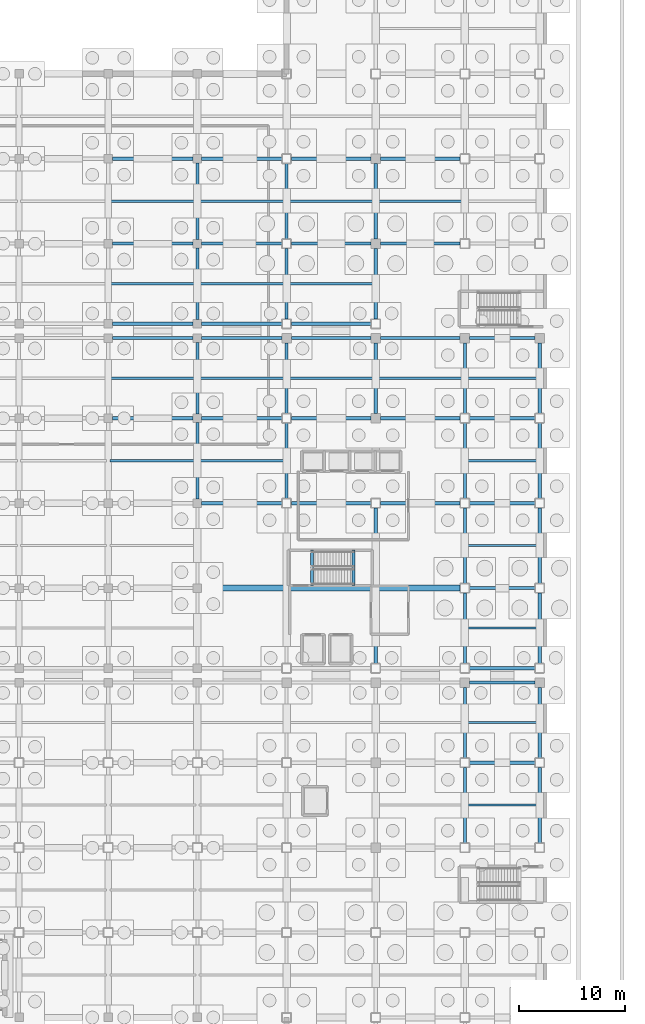
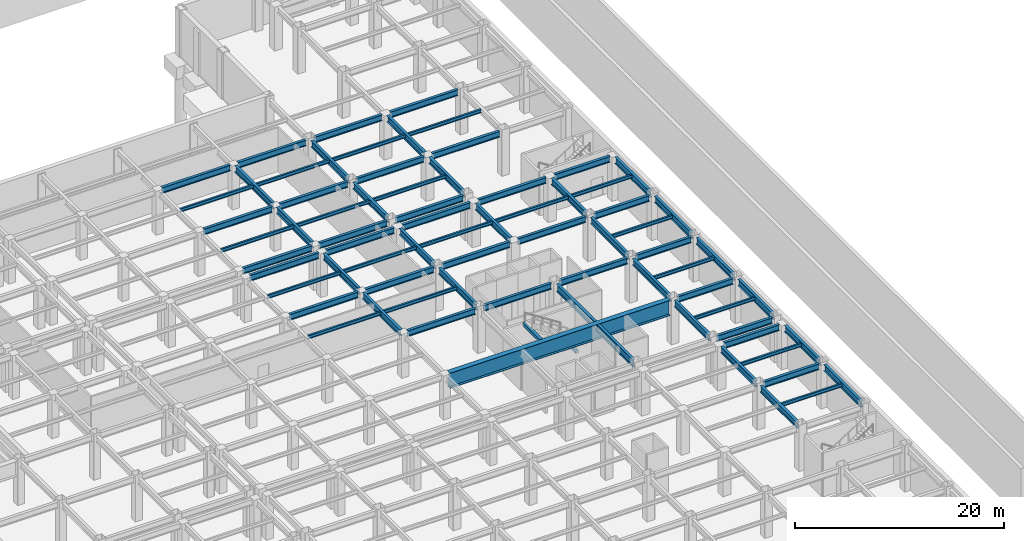
# One storey, part 29 of 55: 75 beams.
"""IFC4 building model written with IfcOpenShell, lengths in metres."""

from ifc_helpers import new_model, si_unit, direction, frame, origin, origin_2d, place, context, subcontext, project, spatial, rectangle, i_section, extrude, material, material_profile, profile_set, type_object, element, save


model = new_model("IFC4")

# Units and contexts
model_context = context("Model", 3, precision=1e-05, world=origin(), true_north=direction((0.0, 1.0)))
body_context = subcontext(model_context, "Body", "Model", "MODEL_VIEW")
ifc_project = project(units=[si_unit("LENGTHUNIT", "METRE"), si_unit("AREAUNIT", "SQUARE_METRE"), si_unit("VOLUMEUNIT", "CUBIC_METRE"), si_unit("PLANEANGLEUNIT", "RADIAN"), si_unit("MASSUNIT", "GRAM", prefix="KILO")], contexts=[model_context])

# Site, building, storey
site_placement = place(None, origin())
site = spatial("IfcSite", under=ifc_project, at=site_placement, CompositionType="ELEMENT")
building_placement = place(site_placement, origin())
building = spatial("IfcBuilding", under=site, at=building_placement, Name="Kazehara Bluff Congress Hotel", CompositionType="ELEMENT")
storey_placement = place(building_placement, frame((0.0, 0.0, -5.39990234375)))
storey = spatial("IfcBuildingStorey", under=building, at=storey_placement, Name="B1", CompositionType="ELEMENT", Elevation=-5.39990234375)

# Beams
ifc_material_1 = material(Name="Steel SN490B", Category="steel")
ifc_material_profile_1 = material_profile(ifc_material_1, i_section(OverallWidth=0.300048828125, OverallDepth=0.699951171875, WebThickness=0.012939453125, FlangeThickness=0.02392578125, FilletRadius=0.01806640625, at=origin_2d()))
ifc_profile_set_1 = profile_set([ifc_material_profile_1], Name="Steel SN490B")
beam_type_1 = type_object("IfcBeamType", Name="TP-G-04", PredefinedType="BEAM", material=ifc_profile_set_1)
for number, where, z_axis, x_axis, name in (
    (1, (160.949951171875, 32.0, 4.77001953125), (1.0, 0.0, 0.0), (0.0, 1.0, 0.0), "B1 girder G-04 345"),
    (2, (160.949951171875, 39.550048828125, 4.77001953125), (1.0, 0.0, 0.0), (0.0, 1.0, 0.0), "B1 girder G-04 362"),
    (3, (160.949951171875, 40.89990234375, 4.77001953125), (1.0, 0.0, 0.0), (0.0, 1.0, 0.0), "B1 girder G-04 379"),
    (4, (160.949951171875, 48.449951171875, 4.77001953125), (1.0, 0.0, 0.0), (0.0, 1.0, 0.0), "B1 girder G-04 394"),
):
    element("IfcBeam", number, at=place(storey_placement, frame(where, z_axis=z_axis, x_axis=x_axis)), inside=storey, type_object=beam_type_1, Name=name, PredefinedType="BEAM", context=body_context, shape_type="SweptSolid", body=[
        extrude(i_section(OverallWidth=0.300048828125, OverallDepth=0.699951171875, WebThickness=0.012939453125, FlangeThickness=0.02392578125, FilletRadius=0.01806640625, at=origin_2d()), origin(), (0.0, 0.0, 1.0), 6.150146484375),
    ])
beam_1_placement = place(storey_placement, frame((135.699951171875, 56.449951171875, 4.77001953125), z_axis=(1.0, 0.0, 0.0), x_axis=(0.0, 1.0, 0.0)))
element("IfcBeam", 5, at=beam_1_placement, inside=storey, type_object=beam_type_1, Name="B1 girder G-04 409", PredefinedType="BEAM", context=body_context, shape_type="SweptSolid", body=[
    extrude(i_section(OverallWidth=0.300048828125, OverallDepth=0.699951171875, WebThickness=0.012939453125, FlangeThickness=0.02392578125, FilletRadius=0.01806640625, at=origin_2d()), origin(), (0.0, 0.0, 1.0), 7.550048828125),
])
for number, where, z_axis, x_axis, name in (
    (6, (144.14990234375, 56.449951171875, 4.77001953125), (1.0, 0.0, 0.0), (0.0, 1.0, 0.0), "B1 girder G-04 410"),
    (7, (152.550048828125, 56.449951171875, 4.77001953125), (1.0, 0.0, 0.0), (0.0, 1.0, 0.0), "B1 girder G-04 411"),
):
    element("IfcBeam", number, at=place(storey_placement, frame(where, z_axis=z_axis, x_axis=x_axis)), inside=storey, type_object=beam_type_1, Name=name, PredefinedType="BEAM", context=body_context, shape_type="SweptSolid", body=[
        extrude(i_section(OverallWidth=0.300048828125, OverallDepth=0.699951171875, WebThickness=0.012939453125, FlangeThickness=0.02392578125, FilletRadius=0.01806640625, at=origin_2d()), origin(), (0.0, 0.0, 1.0), 7.5),
    ])
beam_2_placement = place(storey_placement, frame((160.949951171875, 56.449951171875, 4.77001953125), z_axis=(1.0, 0.0, 0.0), x_axis=(0.0, 1.0, 0.0)))
element("IfcBeam", 8, at=beam_2_placement, inside=storey, type_object=beam_type_1, Name="B1 girder G-04 412", PredefinedType="BEAM", context=body_context, shape_type="SweptSolid", body=[
    extrude(i_section(OverallWidth=0.300048828125, OverallDepth=0.699951171875, WebThickness=0.012939453125, FlangeThickness=0.02392578125, FilletRadius=0.01806640625, at=origin_2d()), origin(), (0.0, 0.0, 1.0), 6.150146484375),
])
beam_3_placement = place(storey_placement, frame((127.300048828125, 64.449951171875, 4.77001953125), z_axis=(1.0, 0.0, 0.0), x_axis=(0.0, 1.0, 0.0)))
element("IfcBeam", 9, at=beam_3_placement, inside=storey, type_object=beam_type_1, Name="B1 girder G-04 428", PredefinedType="BEAM", context=body_context, shape_type="SweptSolid", body=[
    extrude(i_section(OverallWidth=0.300048828125, OverallDepth=0.699951171875, WebThickness=0.012939453125, FlangeThickness=0.02392578125, FilletRadius=0.01806640625, at=origin_2d()), origin(), (0.0, 0.0, 1.0), 7.599853515625),
])
beam_4_placement = place(storey_placement, frame((135.699951171875, 64.449951171875, 4.77001953125), z_axis=(1.0, 0.0, 0.0), x_axis=(0.0, 1.0, 0.0)))
element("IfcBeam", 10, at=beam_4_placement, inside=storey, type_object=beam_type_1, Name="B1 girder G-04 429", PredefinedType="BEAM", context=body_context, shape_type="SweptSolid", body=[
    extrude(i_section(OverallWidth=0.300048828125, OverallDepth=0.699951171875, WebThickness=0.012939453125, FlangeThickness=0.02392578125, FilletRadius=0.01806640625, at=origin_2d()), origin(), (0.0, 0.0, 1.0), 7.550048828125),
])
for number, where, z_axis, x_axis, name in (
    (11, (144.14990234375, 64.449951171875, 4.77001953125), (1.0, 0.0, 0.0), (0.0, 1.0, 0.0), "B1 girder G-04 430"),
    (12, (152.550048828125, 64.449951171875, 4.77001953125), (1.0, 0.0, 0.0), (0.0, 1.0, 0.0), "B1 girder G-04 431"),
):
    element("IfcBeam", number, at=place(storey_placement, frame(where, z_axis=z_axis, x_axis=x_axis)), inside=storey, type_object=beam_type_1, Name=name, PredefinedType="BEAM", context=body_context, shape_type="SweptSolid", body=[
        extrude(i_section(OverallWidth=0.300048828125, OverallDepth=0.699951171875, WebThickness=0.012939453125, FlangeThickness=0.02392578125, FilletRadius=0.01806640625, at=origin_2d()), origin(), (0.0, 0.0, 1.0), 7.5),
    ])
beam_5_placement = place(storey_placement, frame((160.949951171875, 64.449951171875, 4.77001953125), z_axis=(1.0, 0.0, 0.0), x_axis=(0.0, 1.0, 0.0)))
element("IfcBeam", 13, at=beam_5_placement, inside=storey, type_object=beam_type_1, Name="B1 girder G-04 432", PredefinedType="BEAM", context=body_context, shape_type="SweptSolid", body=[
    extrude(i_section(OverallWidth=0.300048828125, OverallDepth=0.699951171875, WebThickness=0.012939453125, FlangeThickness=0.02392578125, FilletRadius=0.01806640625, at=origin_2d()), origin(), (0.0, 0.0, 1.0), 6.150146484375),
])
beam_6_placement = place(storey_placement, frame((127.300048828125, 72.0, 4.77001953125), z_axis=(1.0, 0.0, 0.0), x_axis=(0.0, 1.0, 0.0)))
element("IfcBeam", 14, at=beam_6_placement, inside=storey, type_object=beam_type_1, Name="B1 girder G-04 441", PredefinedType="BEAM", context=body_context, shape_type="SweptSolid", body=[
    extrude(i_section(OverallWidth=0.300048828125, OverallDepth=0.699951171875, WebThickness=0.012939453125, FlangeThickness=0.02392578125, FilletRadius=0.01806640625, at=origin_2d()), origin(), (0.0, 0.0, 1.0), 7.599853515625),
])
beam_7_placement = place(storey_placement, frame((135.699951171875, 72.0, 4.77001953125), z_axis=(1.0, 0.0, 0.0), x_axis=(0.0, 1.0, 0.0)))
element("IfcBeam", 15, at=beam_7_placement, inside=storey, type_object=beam_type_1, Name="B1 girder G-04 442", PredefinedType="BEAM", context=body_context, shape_type="SweptSolid", body=[
    extrude(i_section(OverallWidth=0.300048828125, OverallDepth=0.699951171875, WebThickness=0.012939453125, FlangeThickness=0.02392578125, FilletRadius=0.01806640625, at=origin_2d()), origin(), (0.0, 0.0, 1.0), 7.550048828125),
])
for number, where, z_axis, x_axis, name in (
    (16, (144.14990234375, 72.0, 4.77001953125), (1.0, 0.0, 0.0), (0.0, 1.0, 0.0), "B1 girder G-04 443"),
    (17, (152.550048828125, 72.0, 4.77001953125), (1.0, 0.0, 0.0), (0.0, 1.0, 0.0), "B1 girder G-04 444"),
):
    element("IfcBeam", number, at=place(storey_placement, frame(where, z_axis=z_axis, x_axis=x_axis)), inside=storey, type_object=beam_type_1, Name=name, PredefinedType="BEAM", context=body_context, shape_type="SweptSolid", body=[
        extrude(i_section(OverallWidth=0.300048828125, OverallDepth=0.699951171875, WebThickness=0.012939453125, FlangeThickness=0.02392578125, FilletRadius=0.01806640625, at=origin_2d()), origin(), (0.0, 0.0, 1.0), 7.5),
    ])
beam_8_placement = place(storey_placement, frame((160.949951171875, 72.0, 4.77001953125), z_axis=(1.0, 0.0, 0.0), x_axis=(0.0, 1.0, 0.0)))
element("IfcBeam", 18, at=beam_8_placement, inside=storey, type_object=beam_type_1, Name="B1 girder G-04 445", PredefinedType="BEAM", context=body_context, shape_type="SweptSolid", body=[
    extrude(i_section(OverallWidth=0.300048828125, OverallDepth=0.699951171875, WebThickness=0.012939453125, FlangeThickness=0.02392578125, FilletRadius=0.01806640625, at=origin_2d()), origin(), (0.0, 0.0, 1.0), 6.150146484375),
])
beam_9_placement = place(storey_placement, frame((127.300048828125, 73.35009765625, 4.77001953125), z_axis=(1.0, 0.0, 0.0), x_axis=(0.0, 1.0, 0.0)))
element("IfcBeam", 19, at=beam_9_placement, inside=storey, type_object=beam_type_1, Name="B1 girder G-04 455", PredefinedType="BEAM", context=body_context, shape_type="SweptSolid", body=[
    extrude(i_section(OverallWidth=0.300048828125, OverallDepth=0.699951171875, WebThickness=0.012939453125, FlangeThickness=0.02392578125, FilletRadius=0.01806640625, at=origin_2d()), origin(), (0.0, 0.0, 1.0), 7.599853515625),
])
beam_10_placement = place(storey_placement, frame((135.699951171875, 73.35009765625, 4.77001953125), z_axis=(1.0, 0.0, 0.0), x_axis=(0.0, 1.0, 0.0)))
element("IfcBeam", 20, at=beam_10_placement, inside=storey, type_object=beam_type_1, Name="B1 girder G-04 456", PredefinedType="BEAM", context=body_context, shape_type="SweptSolid", body=[
    extrude(i_section(OverallWidth=0.300048828125, OverallDepth=0.699951171875, WebThickness=0.012939453125, FlangeThickness=0.02392578125, FilletRadius=0.01806640625, at=origin_2d()), origin(), (0.0, 0.0, 1.0), 7.550048828125),
])
beam_11_placement = place(storey_placement, frame((144.14990234375, 73.35009765625, 4.77001953125), z_axis=(1.0, 0.0, 0.0), x_axis=(0.0, 1.0, 0.0)))
element("IfcBeam", 21, at=beam_11_placement, inside=storey, type_object=beam_type_1, Name="B1 girder G-04 457", PredefinedType="BEAM", context=body_context, shape_type="SweptSolid", body=[
    extrude(i_section(OverallWidth=0.300048828125, OverallDepth=0.699951171875, WebThickness=0.012939453125, FlangeThickness=0.02392578125, FilletRadius=0.01806640625, at=origin_2d()), origin(), (0.0, 0.0, 1.0), 7.5),
])
beam_12_placement = place(storey_placement, frame((127.300048828125, 80.89990234375, 4.77001953125), z_axis=(1.0, 0.0, 0.0), x_axis=(0.0, 1.0, 0.0)))
element("IfcBeam", 22, at=beam_12_placement, inside=storey, type_object=beam_type_1, Name="B1 girder G-04 473", PredefinedType="BEAM", context=body_context, shape_type="SweptSolid", body=[
    extrude(i_section(OverallWidth=0.300048828125, OverallDepth=0.699951171875, WebThickness=0.012939453125, FlangeThickness=0.02392578125, FilletRadius=0.01806640625, at=origin_2d()), origin(), (0.0, 0.0, 1.0), 7.599853515625),
])
beam_13_placement = place(storey_placement, frame((135.699951171875, 80.89990234375, 4.77001953125), z_axis=(1.0, 0.0, 0.0), x_axis=(0.0, 1.0, 0.0)))
element("IfcBeam", 23, at=beam_13_placement, inside=storey, type_object=beam_type_1, Name="B1 girder G-04 474", PredefinedType="BEAM", context=body_context, shape_type="SweptSolid", body=[
    extrude(i_section(OverallWidth=0.300048828125, OverallDepth=0.699951171875, WebThickness=0.012939453125, FlangeThickness=0.02392578125, FilletRadius=0.01806640625, at=origin_2d()), origin(), (0.0, 0.0, 1.0), 7.550048828125),
])
for number, where, z_axis, x_axis, name in (
    (24, (144.14990234375, 80.89990234375, 4.77001953125), (1.0, 0.0, 0.0), (0.0, 1.0, 0.0), "B1 girder G-04 475"),
    (25, (152.550048828125, 80.89990234375, 4.77001953125), (1.0, 0.0, 0.0), (0.0, 1.0, 0.0), "B1 girder G-04 476"),
):
    element("IfcBeam", number, at=place(storey_placement, frame(where, z_axis=z_axis, x_axis=x_axis)), inside=storey, type_object=beam_type_1, Name=name, PredefinedType="BEAM", context=body_context, shape_type="SweptSolid", body=[
        extrude(i_section(OverallWidth=0.300048828125, OverallDepth=0.699951171875, WebThickness=0.012939453125, FlangeThickness=0.02392578125, FilletRadius=0.01806640625, at=origin_2d()), origin(), (0.0, 0.0, 1.0), 7.5),
    ])
beam_14_placement = place(storey_placement, frame((127.300048828125, 88.89990234375, 4.77001953125), z_axis=(1.0, 0.0, 0.0), x_axis=(0.0, 1.0, 0.0)))
element("IfcBeam", 26, at=beam_14_placement, inside=storey, type_object=beam_type_1, Name="B1 girder G-04 493", PredefinedType="BEAM", context=body_context, shape_type="SweptSolid", body=[
    extrude(i_section(OverallWidth=0.300048828125, OverallDepth=0.699951171875, WebThickness=0.012939453125, FlangeThickness=0.02392578125, FilletRadius=0.01806640625, at=origin_2d()), origin(), (0.0, 0.0, 1.0), 7.599853515625),
])
beam_15_placement = place(storey_placement, frame((135.699951171875, 88.89990234375, 4.77001953125), z_axis=(1.0, 0.0, 0.0), x_axis=(0.0, 1.0, 0.0)))
element("IfcBeam", 27, at=beam_15_placement, inside=storey, type_object=beam_type_1, Name="B1 girder G-04 494", PredefinedType="BEAM", context=body_context, shape_type="SweptSolid", body=[
    extrude(i_section(OverallWidth=0.300048828125, OverallDepth=0.699951171875, WebThickness=0.012939453125, FlangeThickness=0.02392578125, FilletRadius=0.01806640625, at=origin_2d()), origin(), (0.0, 0.0, 1.0), 7.550048828125),
])
for number, where, z_axis, x_axis, name in (
    (28, (144.14990234375, 88.89990234375, 4.77001953125), (1.0, 0.0, 0.0), (0.0, 1.0, 0.0), "B1 girder G-04 495"),
    (29, (152.550048828125, 88.89990234375, 4.77001953125), (1.0, 0.0, 0.0), (0.0, 1.0, 0.0), "B1 girder G-04 496"),
):
    element("IfcBeam", number, at=place(storey_placement, frame(where, z_axis=z_axis, x_axis=x_axis)), inside=storey, type_object=beam_type_1, Name=name, PredefinedType="BEAM", context=body_context, shape_type="SweptSolid", body=[
        extrude(i_section(OverallWidth=0.300048828125, OverallDepth=0.699951171875, WebThickness=0.012939453125, FlangeThickness=0.02392578125, FilletRadius=0.01806640625, at=origin_2d()), origin(), (0.0, 0.0, 1.0), 7.5),
    ])
ifc_material_2 = material(Name="Steel SN490B", Category="steel")
ifc_material_profile_2 = material_profile(ifc_material_2, i_section(OverallWidth=0.300048828125, OverallDepth=0.75, WebThickness=0.012939453125, FlangeThickness=0.02392578125, FilletRadius=0.01806640625, at=origin_2d()))
ifc_profile_set_2 = profile_set([ifc_material_profile_2], Name="Steel SN490B")
beam_type_2 = type_object("IfcBeamType", Name="TP-G-05", PredefinedType="BEAM", material=ifc_profile_set_2)
beam_16_placement = place(storey_placement, frame((135.300048828125, 56.85009765625, 4.744873046875), z_axis=(0.0, 1.0, 0.0), x_axis=(-1.0, 0.0, 0.0)))
element("IfcBeam", 30, at=beam_16_placement, inside=storey, type_object=beam_type_2, Name="B1 girder G-05 220", PredefinedType="BEAM", context=body_context, shape_type="SweptSolid", body=[
    extrude(i_section(OverallWidth=0.300048828125, OverallDepth=0.75, WebThickness=0.012939453125, FlangeThickness=0.02392578125, FilletRadius=0.01806640625, at=origin_2d()), origin(), (0.0, 0.0, 1.0), 7.199951171875),
])
for number, where, z_axis, x_axis, name in (
    (31, (135.300048828125, 64.85009765625, 4.744873046875), (0.0, 1.0, 0.0), (-1.0, 0.0, 0.0), "B1 girder G-05 221"),
    (32, (135.300048828125, 73.75, 4.744873046875), (0.0, 1.0, 0.0), (-1.0, 0.0, 0.0), "B1 girder G-05 222"),
):
    element("IfcBeam", number, at=place(storey_placement, frame(where, z_axis=z_axis, x_axis=x_axis)), inside=storey, type_object=beam_type_2, Name=name, PredefinedType="BEAM", context=body_context, shape_type="SweptSolid", body=[
        extrude(i_section(OverallWidth=0.300048828125, OverallDepth=0.75, WebThickness=0.012939453125, FlangeThickness=0.02392578125, FilletRadius=0.01806640625, at=origin_2d()), origin(), (0.0, 0.0, 1.0), 6.75),
    ])
beam_17_placement = place(storey_placement, frame((135.300048828125, 81.300048828125, 4.744873046875), z_axis=(0.0, 1.0, 0.0), x_axis=(-1.0, 0.0, 0.0)))
element("IfcBeam", 33, at=beam_17_placement, inside=storey, type_object=beam_type_2, Name="B1 girder G-05 223", PredefinedType="BEAM", context=body_context, shape_type="SweptSolid", body=[
    extrude(i_section(OverallWidth=0.300048828125, OverallDepth=0.75, WebThickness=0.012939453125, FlangeThickness=0.02392578125, FilletRadius=0.01806640625, at=origin_2d()), origin(), (0.0, 0.0, 1.0), 7.199951171875),
])
beam_18_placement = place(storey_placement, frame((143.699951171875, 56.89990234375, 4.744873046875), z_axis=(0.0, 1.0, 0.0), x_axis=(-1.0, 0.0, 0.0)))
element("IfcBeam", 34, at=beam_18_placement, inside=storey, type_object=beam_type_2, Name="B1 girder G-05 230", PredefinedType="BEAM", context=body_context, shape_type="SweptSolid", body=[
    extrude(i_section(OverallWidth=0.300048828125, OverallDepth=0.75, WebThickness=0.012939453125, FlangeThickness=0.02392578125, FilletRadius=0.01806640625, at=origin_2d()), origin(), (0.0, 0.0, 1.0), 7.10009765625),
])
beam_19_placement = place(storey_placement, frame((143.699951171875, 64.89990234375, 4.744873046875), z_axis=(0.0, 1.0, 0.0), x_axis=(-1.0, 0.0, 0.0)))
element("IfcBeam", 35, at=beam_19_placement, inside=storey, type_object=beam_type_2, Name="B1 girder G-05 231", PredefinedType="BEAM", context=body_context, shape_type="SweptSolid", body=[
    extrude(i_section(OverallWidth=0.300048828125, OverallDepth=0.75, WebThickness=0.012939453125, FlangeThickness=0.02392578125, FilletRadius=0.01806640625, at=origin_2d()), origin(), (0.0, 0.0, 1.0), 6.650146484375),
])
beam_20_placement = place(storey_placement, frame((143.699951171875, 73.800048828125, 4.744873046875), z_axis=(0.0, 1.0, 0.0), x_axis=(-1.0, 0.0, 0.0)))
element("IfcBeam", 36, at=beam_20_placement, inside=storey, type_object=beam_type_2, Name="B1 girder G-05 232", PredefinedType="BEAM", context=body_context, shape_type="SweptSolid", body=[
    extrude(i_section(OverallWidth=0.300048828125, OverallDepth=0.75, WebThickness=0.012939453125, FlangeThickness=0.02392578125, FilletRadius=0.01806640625, at=origin_2d()), origin(), (0.0, 0.0, 1.0), 6.64990234375),
])
beam_21_placement = place(storey_placement, frame((143.699951171875, 81.35009765625, 4.744873046875), z_axis=(0.0, 1.0, 0.0), x_axis=(-1.0, 0.0, 0.0)))
element("IfcBeam", 37, at=beam_21_placement, inside=storey, type_object=beam_type_2, Name="B1 girder G-05 233", PredefinedType="BEAM", context=body_context, shape_type="SweptSolid", body=[
    extrude(i_section(OverallWidth=0.300048828125, OverallDepth=0.75, WebThickness=0.012939453125, FlangeThickness=0.02392578125, FilletRadius=0.01806640625, at=origin_2d()), origin(), (0.0, 0.0, 1.0), 7.099853515625),
])
beam_22_placement = place(storey_placement, frame((152.10009765625, 64.89990234375, 4.744873046875), z_axis=(0.0, 1.0, 0.0), x_axis=(-1.0, 0.0, 0.0)))
element("IfcBeam", 38, at=beam_22_placement, inside=storey, type_object=beam_type_2, Name="B1 girder G-05 241", PredefinedType="BEAM", context=body_context, shape_type="SweptSolid", body=[
    extrude(i_section(OverallWidth=0.300048828125, OverallDepth=0.75, WebThickness=0.012939453125, FlangeThickness=0.02392578125, FilletRadius=0.01806640625, at=origin_2d()), origin(), (0.0, 0.0, 1.0), 6.650146484375),
])
beam_23_placement = place(storey_placement, frame((152.10009765625, 73.800048828125, 4.744873046875), z_axis=(0.0, 1.0, 0.0), x_axis=(-1.0, 0.0, 0.0)))
element("IfcBeam", 39, at=beam_23_placement, inside=storey, type_object=beam_type_2, Name="B1 girder G-05 242", PredefinedType="BEAM", context=body_context, shape_type="SweptSolid", body=[
    extrude(i_section(OverallWidth=0.300048828125, OverallDepth=0.75, WebThickness=0.012939453125, FlangeThickness=0.02392578125, FilletRadius=0.01806640625, at=origin_2d()), origin(), (0.0, 0.0, 1.0), 6.64990234375),
])
beam_24_placement = place(storey_placement, frame((152.10009765625, 81.35009765625, 4.744873046875), z_axis=(0.0, 1.0, 0.0), x_axis=(-1.0, 0.0, 0.0)))
element("IfcBeam", 40, at=beam_24_placement, inside=storey, type_object=beam_type_2, Name="B1 girder G-05 243", PredefinedType="BEAM", context=body_context, shape_type="SweptSolid", body=[
    extrude(i_section(OverallWidth=0.300048828125, OverallDepth=0.75, WebThickness=0.012939453125, FlangeThickness=0.02392578125, FilletRadius=0.01806640625, at=origin_2d()), origin(), (0.0, 0.0, 1.0), 7.099853515625),
])
beam_25_placement = place(storey_placement, frame((160.5, 24.449951171875, 4.744873046875), z_axis=(0.0, 1.0, 0.0), x_axis=(-1.0, 0.0, 0.0)))
element("IfcBeam", 41, at=beam_25_placement, inside=storey, type_object=beam_type_2, Name="B1 girder G-05 250", PredefinedType="BEAM", context=body_context, shape_type="SweptSolid", body=[
    extrude(i_section(OverallWidth=0.300048828125, OverallDepth=0.75, WebThickness=0.012939453125, FlangeThickness=0.02392578125, FilletRadius=0.01806640625, at=origin_2d()), origin(), (0.0, 0.0, 1.0), 7.10009765625),
])
beam_26_placement = place(storey_placement, frame((160.5, 32.449951171875, 4.744873046875), z_axis=(0.0, 1.0, 0.0), x_axis=(-1.0, 0.0, 0.0)))
element("IfcBeam", 42, at=beam_26_placement, inside=storey, type_object=beam_type_2, Name="B1 girder G-05 251", PredefinedType="BEAM", context=body_context, shape_type="SweptSolid", body=[
    extrude(i_section(OverallWidth=0.300048828125, OverallDepth=0.75, WebThickness=0.012939453125, FlangeThickness=0.02392578125, FilletRadius=0.01806640625, at=origin_2d()), origin(), (0.0, 0.0, 1.0), 6.650146484375),
])
beam_27_placement = place(storey_placement, frame((160.5, 41.35009765625, 4.744873046875), z_axis=(0.0, 1.0, 0.0), x_axis=(-1.0, 0.0, 0.0)))
element("IfcBeam", 43, at=beam_27_placement, inside=storey, type_object=beam_type_2, Name="B1 girder G-05 252", PredefinedType="BEAM", context=body_context, shape_type="SweptSolid", body=[
    extrude(i_section(OverallWidth=0.300048828125, OverallDepth=0.75, WebThickness=0.012939453125, FlangeThickness=0.02392578125, FilletRadius=0.01806640625, at=origin_2d()), origin(), (0.0, 0.0, 1.0), 6.64990234375),
])
for number, where, z_axis, x_axis, name in (
    (44, (160.5, 48.89990234375, 4.744873046875), (0.0, 1.0, 0.0), (-1.0, 0.0, 0.0), "B1 girder G-05 253"),
    (45, (160.5, 56.89990234375, 4.744873046875), (0.0, 1.0, 0.0), (-1.0, 0.0, 0.0), "B1 girder G-05 254"),
):
    element("IfcBeam", number, at=place(storey_placement, frame(where, z_axis=z_axis, x_axis=x_axis)), inside=storey, type_object=beam_type_2, Name=name, PredefinedType="BEAM", context=body_context, shape_type="SweptSolid", body=[
        extrude(i_section(OverallWidth=0.300048828125, OverallDepth=0.75, WebThickness=0.012939453125, FlangeThickness=0.02392578125, FilletRadius=0.01806640625, at=origin_2d()), origin(), (0.0, 0.0, 1.0), 7.10009765625),
    ])
beam_28_placement = place(storey_placement, frame((160.5, 64.89990234375, 4.744873046875), z_axis=(0.0, 1.0, 0.0), x_axis=(-1.0, 0.0, 0.0)))
element("IfcBeam", 46, at=beam_28_placement, inside=storey, type_object=beam_type_2, Name="B1 girder G-05 255", PredefinedType="BEAM", context=body_context, shape_type="SweptSolid", body=[
    extrude(i_section(OverallWidth=0.300048828125, OverallDepth=0.75, WebThickness=0.012939453125, FlangeThickness=0.02392578125, FilletRadius=0.01806640625, at=origin_2d()), origin(), (0.0, 0.0, 1.0), 6.650146484375),
])
beam_29_placement = place(storey_placement, frame((167.550048828125, 24.449951171875, 4.744873046875), z_axis=(0.0, 1.0, 0.0), x_axis=(-1.0, 0.0, 0.0)))
element("IfcBeam", 47, at=beam_29_placement, inside=storey, type_object=beam_type_2, Name="B1 girder G-05 263", PredefinedType="BEAM", context=body_context, shape_type="SweptSolid", body=[
    extrude(i_section(OverallWidth=0.300048828125, OverallDepth=0.75, WebThickness=0.012939453125, FlangeThickness=0.02392578125, FilletRadius=0.01806640625, at=origin_2d()), origin(), (0.0, 0.0, 1.0), 7.10009765625),
])
beam_30_placement = place(storey_placement, frame((167.550048828125, 32.449951171875, 4.744873046875), z_axis=(0.0, 1.0, 0.0), x_axis=(-1.0, 0.0, 0.0)))
element("IfcBeam", 48, at=beam_30_placement, inside=storey, type_object=beam_type_2, Name="B1 girder G-05 264", PredefinedType="BEAM", context=body_context, shape_type="SweptSolid", body=[
    extrude(i_section(OverallWidth=0.300048828125, OverallDepth=0.75, WebThickness=0.012939453125, FlangeThickness=0.02392578125, FilletRadius=0.01806640625, at=origin_2d()), origin(), (0.0, 0.0, 1.0), 6.650146484375),
])
beam_31_placement = place(storey_placement, frame((167.550048828125, 41.35009765625, 4.744873046875), z_axis=(0.0, 1.0, 0.0), x_axis=(-1.0, 0.0, 0.0)))
element("IfcBeam", 49, at=beam_31_placement, inside=storey, type_object=beam_type_2, Name="B1 girder G-05 265", PredefinedType="BEAM", context=body_context, shape_type="SweptSolid", body=[
    extrude(i_section(OverallWidth=0.300048828125, OverallDepth=0.75, WebThickness=0.012939453125, FlangeThickness=0.02392578125, FilletRadius=0.01806640625, at=origin_2d()), origin(), (0.0, 0.0, 1.0), 6.64990234375),
])
for number, where, z_axis, x_axis, name in (
    (50, (167.550048828125, 48.89990234375, 4.744873046875), (0.0, 1.0, 0.0), (-1.0, 0.0, 0.0), "B1 girder G-05 266"),
    (51, (167.550048828125, 56.89990234375, 4.744873046875), (0.0, 1.0, 0.0), (-1.0, 0.0, 0.0), "B1 girder G-05 267"),
):
    element("IfcBeam", number, at=place(storey_placement, frame(where, z_axis=z_axis, x_axis=x_axis)), inside=storey, type_object=beam_type_2, Name=name, PredefinedType="BEAM", context=body_context, shape_type="SweptSolid", body=[
        extrude(i_section(OverallWidth=0.300048828125, OverallDepth=0.75, WebThickness=0.012939453125, FlangeThickness=0.02392578125, FilletRadius=0.01806640625, at=origin_2d()), origin(), (0.0, 0.0, 1.0), 7.10009765625),
    ])
beam_32_placement = place(storey_placement, frame((167.550048828125, 64.89990234375, 4.744873046875), z_axis=(0.0, 1.0, 0.0), x_axis=(-1.0, 0.0, 0.0)))
element("IfcBeam", 52, at=beam_32_placement, inside=storey, type_object=beam_type_2, Name="B1 girder G-05 268", PredefinedType="BEAM", context=body_context, shape_type="SweptSolid", body=[
    extrude(i_section(OverallWidth=0.300048828125, OverallDepth=0.75, WebThickness=0.012939453125, FlangeThickness=0.02392578125, FilletRadius=0.01806640625, at=origin_2d()), origin(), (0.0, 0.0, 1.0), 6.650146484375),
])
ifc_material_3 = material(Name="Steel SN490B", Category="steel")
ifc_material_profile_3 = material_profile(ifc_material_3, i_section(OverallWidth=0.300048828125, OverallDepth=0.89990234375, WebThickness=0.01611328125, FlangeThickness=0.028076171875, FilletRadius=0.01806640625, at=origin_2d()))
ifc_profile_set_3 = profile_set([ifc_material_profile_3], Name="Steel SN490B")
beam_type_3 = type_object("IfcBeamType", Name="TP-G-08", PredefinedType="BEAM", material=ifc_profile_set_3)
beam_33_placement = place(storey_placement, frame((152.10009765625, 41.35009765625, 4.669921875), z_axis=(0.0, 1.0, 0.0), x_axis=(-1.0, 0.0, 0.0)))
element("IfcBeam", 53, at=beam_33_placement, inside=storey, type_object=beam_type_3, Name="B1 girder G-08 240", PredefinedType="BEAM", context=body_context, shape_type="SweptSolid", body=[
    extrude(i_section(OverallWidth=0.300048828125, OverallDepth=0.89990234375, WebThickness=0.01611328125, FlangeThickness=0.028076171875, FilletRadius=0.01806640625, at=origin_2d()), origin(), (0.0, 0.0, 1.0), 14.64990234375),
])
ifc_material_4 = material(Name="Steel SN490B", Category="steel")
ifc_material_profile_4 = material_profile(ifc_material_4, i_section(OverallWidth=0.550048828125, OverallDepth=1.800048828125, WebThickness=0.02392578125, FlangeThickness=0.0380859375, at=origin_2d()))
ifc_profile_set_4 = profile_set([ifc_material_profile_4], Name="Steel SN490B")
beam_type_4 = type_object("IfcBeamType", Name="TP-G-14", PredefinedType="BEAM", material=ifc_profile_set_4)
beam_34_placement = place(storey_placement, frame((135.699951171875, 48.449951171875, 4.219970703125), z_axis=(1.0, 0.0, 0.0), x_axis=(0.0, 1.0, 0.0)))
element("IfcBeam", 54, at=beam_34_placement, inside=storey, type_object=beam_type_4, Name="B1 girder G-14 393", PredefinedType="BEAM", context=body_context, shape_type="SweptSolid", body=[
    extrude(i_section(OverallWidth=0.550048828125, OverallDepth=1.800048828125, WebThickness=0.02392578125, FlangeThickness=0.0380859375, at=origin_2d()), origin(), (0.0, 0.0, 1.0), 24.35009765625),
])
ifc_material_5 = material(Name="Steel SN400B", Category="steel")
ifc_material_profile_5 = material_profile(ifc_material_5, i_section(OverallWidth=0.199951171875, OverallDepth=0.39990234375, WebThickness=0.008056640625, FlangeThickness=0.012939453125, FilletRadius=0.012939453125, at=origin_2d()))
ifc_profile_set_5 = profile_set([ifc_material_profile_5], Name="Steel SN400B")
beam_type_5 = type_object("IfcBeamType", Name="TP-J-03", PredefinedType="JOIST", material=ifc_profile_set_5)
for number, where, z_axis, x_axis, name in (
    (55, (127.050048828125, 60.449951171875, 4.919921875), (1.0, 0.0, 0.0), (0.0, 1.0, 0.0), "B1 secondary joist J-03 119"),
    (56, (127.050048828125, 68.22509765625, 4.919921875), (1.0, 0.0, 0.0), (0.0, 1.0, 0.0), "B1 secondary joist J-03 120"),
    (57, (127.050048828125, 77.125, 4.919921875), (1.0, 0.0, 0.0), (0.0, 1.0, 0.0), "B1 secondary joist J-03 121"),
    (58, (127.050048828125, 84.89990234375, 4.919921875), (1.0, 0.0, 0.0), (0.0, 1.0, 0.0), "B1 secondary joist J-03 122"),
):
    element("IfcBeam", number, at=place(storey_placement, frame(where, z_axis=z_axis, x_axis=x_axis)), inside=storey, type_object=beam_type_5, Name=name, PredefinedType="JOIST", context=body_context, shape_type="SweptSolid", body=[
        extrude(i_section(OverallWidth=0.199951171875, OverallDepth=0.39990234375, WebThickness=0.008056640625, FlangeThickness=0.012939453125, FilletRadius=0.012939453125, at=origin_2d()), origin(), (0.0, 0.0, 1.0), 8.099853515625),
    ])
for number, where, z_axis, x_axis, name in (
    (59, (135.449951171875, 60.449951171875, 4.919921875), (1.0, 0.0, 0.0), (0.0, 1.0, 0.0), "B1 secondary joist J-03 128"),
    (60, (135.449951171875, 68.22509765625, 4.919921875), (1.0, 0.0, 0.0), (0.0, 1.0, 0.0), "B1 secondary joist J-03 129"),
    (61, (135.449951171875, 77.125, 4.919921875), (1.0, 0.0, 0.0), (0.0, 1.0, 0.0), "B1 secondary joist J-03 130"),
    (62, (135.449951171875, 84.89990234375, 4.919921875), (1.0, 0.0, 0.0), (0.0, 1.0, 0.0), "B1 secondary joist J-03 131"),
):
    element("IfcBeam", number, at=place(storey_placement, frame(where, z_axis=z_axis, x_axis=x_axis)), inside=storey, type_object=beam_type_5, Name=name, PredefinedType="JOIST", context=body_context, shape_type="SweptSolid", body=[
        extrude(i_section(OverallWidth=0.199951171875, OverallDepth=0.39990234375, WebThickness=0.008056640625, FlangeThickness=0.012939453125, FilletRadius=0.012939453125, at=origin_2d()), origin(), (0.0, 0.0, 1.0), 8.10009765625),
    ])
for number, where, z_axis, x_axis, name in (
    (63, (143.85009765625, 68.22509765625, 4.919921875), (1.0, 0.0, 0.0), (0.0, 1.0, 0.0), "B1 secondary joist J-03 136"),
    (64, (143.85009765625, 77.125, 4.919921875), (1.0, 0.0, 0.0), (0.0, 1.0, 0.0), "B1 secondary joist J-03 137"),
    (65, (143.85009765625, 84.89990234375, 4.919921875), (1.0, 0.0, 0.0), (0.0, 1.0, 0.0), "B1 secondary joist J-03 138"),
):
    element("IfcBeam", number, at=place(storey_placement, frame(where, z_axis=z_axis, x_axis=x_axis)), inside=storey, type_object=beam_type_5, Name=name, PredefinedType="JOIST", context=body_context, shape_type="SweptSolid", body=[
        extrude(i_section(OverallWidth=0.199951171875, OverallDepth=0.39990234375, WebThickness=0.008056640625, FlangeThickness=0.012939453125, FilletRadius=0.012939453125, at=origin_2d()), origin(), (0.0, 0.0, 1.0), 8.099853515625),
    ])
for number, where, z_axis, x_axis, name in (
    (66, (152.25, 68.22509765625, 4.919921875), (1.0, 0.0, 0.0), (0.0, 1.0, 0.0), "B1 secondary joist J-03 144"),
    (67, (152.25, 84.89990234375, 4.919921875), (1.0, 0.0, 0.0), (0.0, 1.0, 0.0), "B1 secondary joist J-03 145"),
):
    element("IfcBeam", number, at=place(storey_placement, frame(where, z_axis=z_axis, x_axis=x_axis)), inside=storey, type_object=beam_type_5, Name=name, PredefinedType="JOIST", context=body_context, shape_type="SweptSolid", body=[
        extrude(i_section(OverallWidth=0.199951171875, OverallDepth=0.39990234375, WebThickness=0.008056640625, FlangeThickness=0.012939453125, FilletRadius=0.012939453125, at=origin_2d()), origin(), (0.0, 0.0, 1.0), 8.10009765625),
    ])
for number, where, z_axis, x_axis, name in (
    (68, (160.64990234375, 28.0, 4.919921875), (1.0, 0.0, 0.0), (0.0, 1.0, 0.0), "B1 secondary joist J-03 152"),
    (69, (160.64990234375, 35.77490234375, 4.919921875), (1.0, 0.0, 0.0), (0.0, 1.0, 0.0), "B1 secondary joist J-03 153"),
    (70, (160.64990234375, 44.675048828125, 4.919921875), (1.0, 0.0, 0.0), (0.0, 1.0, 0.0), "B1 secondary joist J-03 154"),
    (71, (160.64990234375, 52.449951171875, 4.919921875), (1.0, 0.0, 0.0), (0.0, 1.0, 0.0), "B1 secondary joist J-03 155"),
    (72, (160.64990234375, 60.449951171875, 4.919921875), (1.0, 0.0, 0.0), (0.0, 1.0, 0.0), "B1 secondary joist J-03 156"),
    (73, (160.64990234375, 68.22509765625, 4.919921875), (1.0, 0.0, 0.0), (0.0, 1.0, 0.0), "B1 secondary joist J-03 157"),
):
    element("IfcBeam", number, at=place(storey_placement, frame(where, z_axis=z_axis, x_axis=x_axis)), inside=storey, type_object=beam_type_5, Name=name, PredefinedType="JOIST", context=body_context, shape_type="SweptSolid", body=[
        extrude(i_section(OverallWidth=0.199951171875, OverallDepth=0.39990234375, WebThickness=0.008056640625, FlangeThickness=0.012939453125, FilletRadius=0.012939453125, at=origin_2d()), origin(), (0.0, 0.0, 1.0), 6.75),
    ])
ifc_material_6 = material(Name="Concrete C40/50", Category="concrete")
ifc_material_profile_6 = material_profile(ifc_material_6, rectangle(XDim=0.300048828125, YDim=0.39990234375, at=origin_2d()))
ifc_profile_set_6 = profile_set([ifc_material_profile_6], Name="Concrete C40/50")
beam_type_6 = type_object("IfcBeamType", Name="TP-LN-02", PredefinedType="LINTEL", material=ifc_profile_set_6)
for number, where, z_axis, x_axis, name in (
    (74, (150.02001953125, 48.675048828125, 2.31982421875), (0.0, 1.0, 0.0), (-1.0, 0.0, 0.0), "B1 ST-11 half-landing support beam 1"),
    (75, (146.10009765625, 48.675048828125, 4.93994140625), (0.0, 1.0, 0.0), (-1.0, 0.0, 0.0), "L00 ST-11 stairwell trimmer beam"),
):
    element("IfcBeam", number, at=place(storey_placement, frame(where, z_axis=z_axis, x_axis=x_axis)), inside=storey, type_object=beam_type_6, Name=name, PredefinedType="LINTEL", context=body_context, shape_type="SweptSolid", body=[
        extrude(rectangle(XDim=0.300048828125, YDim=0.39990234375, at=origin_2d()), origin(), (0.0, 0.0, 1.0), 3.349853515625),
    ])

save(model, "model.ifc")
